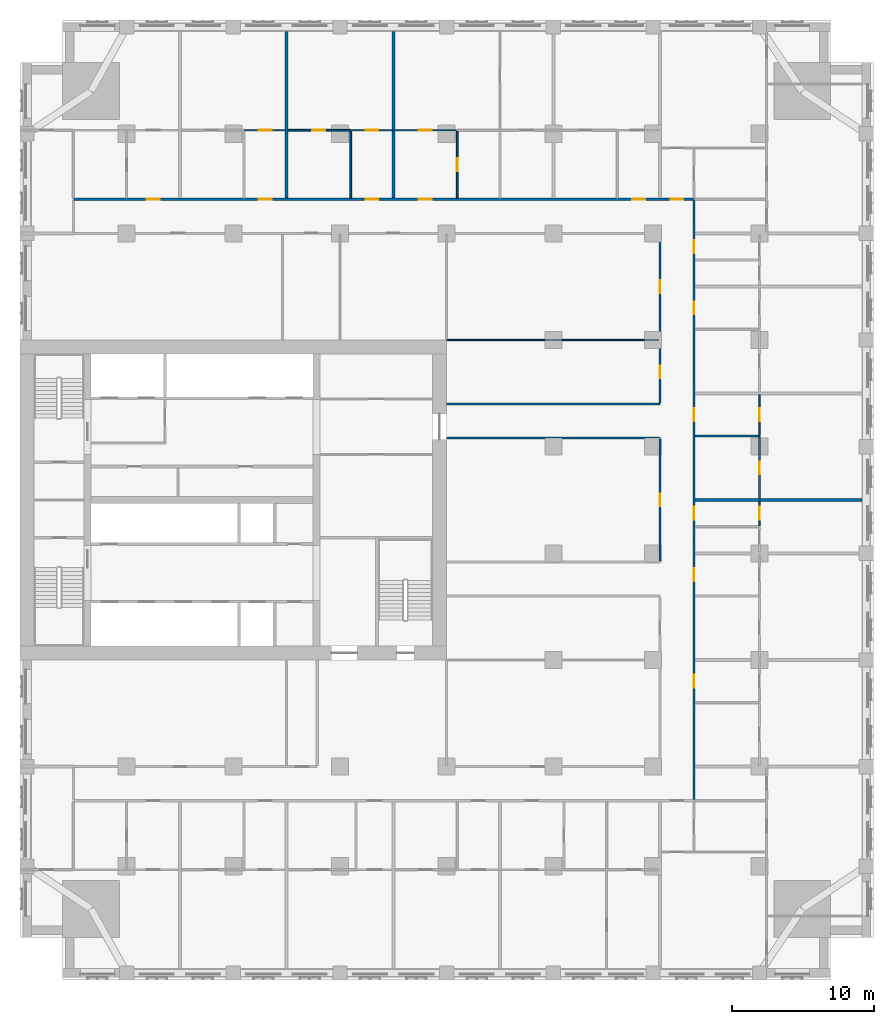
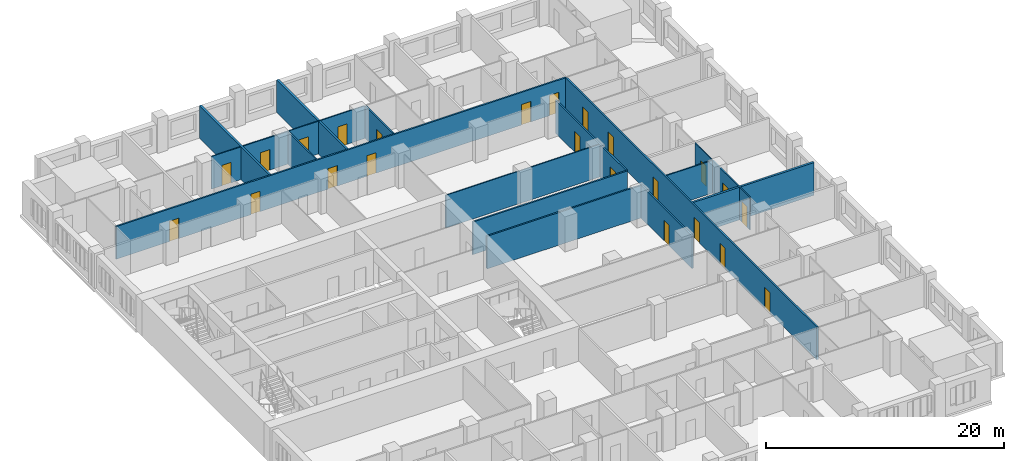
# One storey, part 9 of 14: 23 doors, 19 walls, 23 openings.
"""IFC4 building model written with IfcOpenShell, lengths in metres."""

from ifc_helpers import new_model, si_unit, direction, frame, frame_2d, origin, place, context, subcontext, project, spatial, rectangle, extrude, material, layer, layer_set, type_object, element, fill, save


model = new_model("IFC4")

# Units and contexts
model_context = context("Model", 3, precision=1e-05, world=origin(), true_north=direction((0.0, 1.0)))
body_context = subcontext(model_context, "Body", "Model", "MODEL_VIEW")
ifc_project = project(units=[si_unit("LENGTHUNIT", "METRE"), si_unit("AREAUNIT", "SQUARE_METRE"), si_unit("VOLUMEUNIT", "CUBIC_METRE"), si_unit("PLANEANGLEUNIT", "RADIAN"), si_unit("MASSUNIT", "GRAM", prefix="KILO")], contexts=[model_context])

# Site, building, storey
site_placement = place(None, origin())
site = spatial("IfcSite", under=ifc_project, at=site_placement, CompositionType="ELEMENT")
building_placement = place(site_placement, origin())
building = spatial("IfcBuilding", under=site, at=building_placement, Name="Tamorin Gate", CompositionType="ELEMENT")
storey_placement = place(building_placement, frame((0.0, 0.0, 66.39990234375)))
storey = spatial("IfcBuildingStorey", under=building, at=storey_placement, Name="L15", CompositionType="ELEMENT", Elevation=66.39990234375)

# Wall, openings, doors
ifc_material_1 = material(Name="Gypsum board partition")
ifc_layer_1 = layer(ifc_material_1, 0.14990234375)
ifc_layer_set_1 = layer_set([ifc_layer_1], Name="Corridor wall 150")
wall_type_1 = type_object("IfcWallType", Name="Corridor wall 150", PredefinedType="PARTITIONING", material=ifc_layer_set_1)
wall_1_placement = place(storey_placement, frame((33.75, 92.39990234375, 0.0), z_axis=(0.0, 0.0, 1.0), x_axis=(1.0, 0.0, 0.0)))
wall_1 = element("IfcWall", 1, at=wall_1_placement, inside=storey, type_object=wall_type_1, Name="Corridor wall 150", PredefinedType="PARTITIONING", context=body_context, shape_type="SweptSolid", body=[
    extrude(rectangle(XDim=43.64990234375, YDim=0.14990234375, at=frame_2d((21.824951171875, 0.0))), origin(), (0.0, 0.0, 1.0), 3.35009765625),
])
opening_1_placement = place(wall_1_placement, frame((5.175048828125, 0.0, 0.0)))
opening_1 = element("IfcOpeningElement", 2, at=opening_1_placement, cuts=wall_1, Name="Opening DH2021", PredefinedType="OPENING", context=body_context, shape_type="SweptSolid", body=[
    extrude(rectangle(XDim=0.89990234375, YDim=2.10009765625, at=frame_2d((0.449951171875, 1.050048828125))), frame((0.0, 0.0849609375, 0.0), z_axis=(0.0, -1.0, 0.0), x_axis=(1.0, 0.0, 0.0)), (0.0, 0.0, 1.0), 0.169921875),
])
opening_2_placement = place(wall_1_placement, frame((13.050048828125, 0.0, 0.0)))
opening_2 = element("IfcOpeningElement", 3, at=opening_2_placement, cuts=wall_1, Name="Opening DH2024", PredefinedType="OPENING", context=body_context, shape_type="SweptSolid", body=[
    extrude(rectangle(XDim=0.89990234375, YDim=2.10009765625, at=frame_2d((0.449951171875, 1.050048828125))), frame((0.0, 0.0849609375, 0.0), z_axis=(0.0, -1.0, 0.0), x_axis=(1.0, 0.0, 0.0)), (0.0, 0.0, 1.0), 0.169921875),
])
opening_3_placement = place(wall_1_placement, frame((20.550048828125, 0.0, 0.0)))
opening_3 = element("IfcOpeningElement", 4, at=opening_3_placement, cuts=wall_1, Name="Opening DH2027", PredefinedType="OPENING", context=body_context, shape_type="SweptSolid", body=[
    extrude(rectangle(XDim=0.89990234375, YDim=2.10009765625, at=frame_2d((0.449951171875, 1.050048828125))), frame((0.0, 0.0849609375, 0.0), z_axis=(0.0, -1.0, 0.0), x_axis=(1.0, 0.0, 0.0)), (0.0, 0.0, 1.0), 0.169921875),
])
opening_4_placement = place(wall_1_placement, frame((24.300048828125, 0.0, 0.0)))
opening_4 = element("IfcOpeningElement", 5, at=opening_4_placement, cuts=wall_1, Name="Opening DH2029", PredefinedType="OPENING", context=body_context, shape_type="SweptSolid", body=[
    extrude(rectangle(XDim=0.89990234375, YDim=2.10009765625, at=frame_2d((0.449951171875, 1.050048828125))), frame((0.0, 0.0849609375, 0.0), z_axis=(0.0, -1.0, 0.0), x_axis=(1.0, 0.0, 0.0)), (0.0, 0.0, 1.0), 0.169921875),
])
opening_5_placement = place(wall_1_placement, frame((39.300048828125, 0.0, 0.0)))
opening_5 = element("IfcOpeningElement", 6, at=opening_5_placement, cuts=wall_1, Name="Opening DH2035", PredefinedType="OPENING", context=body_context, shape_type="SweptSolid", body=[
    extrude(rectangle(XDim=0.89990234375, YDim=2.10009765625, at=frame_2d((0.449951171875, 1.050048828125))), frame((0.0, 0.0849609375, 0.0), z_axis=(0.0, -1.0, 0.0), x_axis=(1.0, 0.0, 0.0)), (0.0, 0.0, 1.0), 0.169921875),
])
opening_6_placement = place(wall_1_placement, frame((42.0, 0.0, 0.0)))
opening_6 = element("IfcOpeningElement", 7, at=opening_6_placement, cuts=wall_1, Name="Opening DH2061", PredefinedType="OPENING", context=body_context, shape_type="SweptSolid", body=[
    extrude(rectangle(XDim=0.89990234375, YDim=2.10009765625, at=frame_2d((0.449951171875, 1.050048828125))), frame((0.0, 0.0849609375, 0.0), z_axis=(0.0, -1.0, 0.0), x_axis=(1.0, 0.0, 0.0)), (0.0, 0.0, 1.0), 0.169921875),
])
ifc_material_2 = material(Name="Timber door leaf", Category="wood")
door_type_1 = type_object("IfcDoorType", Name="Door 900 x 2100 FD30S", OperationType="NOTDEFINED", PredefinedType="DOOR", material=ifc_material_2)
door_1_placement = place(opening_1_placement, origin())
door_1 = element("IfcDoor", 8, at=door_1_placement, inside=storey, type_object=door_type_1, Name="Door DH2021", OperationType="SINGLE_SWING_LEFT", OverallHeight=2.10009765625, OverallWidth=0.89990234375, PredefinedType="DOOR", context=body_context, shape_type="SweptSolid", body=[
    extrude(rectangle(XDim=0.89990234375, YDim=2.10009765625, at=frame_2d((0.449951171875, 1.050048828125))), frame((0.0, 0.02490234375, 0.0), z_axis=(0.0, -1.0, 0.0), x_axis=(1.0, 0.0, 0.0)), (0.0, 0.0, 1.0), 0.050048828125),
])
fill(opening_1, door_1)
door_2_placement = place(opening_2_placement, origin())
door_2 = element("IfcDoor", 9, at=door_2_placement, inside=storey, type_object=door_type_1, Name="Door DH2024", OperationType="SINGLE_SWING_LEFT", OverallHeight=2.10009765625, OverallWidth=0.89990234375, PredefinedType="DOOR", context=body_context, shape_type="SweptSolid", body=[
    extrude(rectangle(XDim=0.89990234375, YDim=2.10009765625, at=frame_2d((0.449951171875, 1.050048828125))), frame((0.0, 0.02490234375, 0.0), z_axis=(0.0, -1.0, 0.0), x_axis=(1.0, 0.0, 0.0)), (0.0, 0.0, 1.0), 0.050048828125),
])
fill(opening_2, door_2)
door_3_placement = place(opening_3_placement, origin())
door_3 = element("IfcDoor", 10, at=door_3_placement, inside=storey, type_object=door_type_1, Name="Door DH2027", OperationType="SINGLE_SWING_LEFT", OverallHeight=2.10009765625, OverallWidth=0.89990234375, PredefinedType="DOOR", context=body_context, shape_type="SweptSolid", body=[
    extrude(rectangle(XDim=0.89990234375, YDim=2.10009765625, at=frame_2d((0.449951171875, 1.050048828125))), frame((0.0, 0.02490234375, 0.0), z_axis=(0.0, -1.0, 0.0), x_axis=(1.0, 0.0, 0.0)), (0.0, 0.0, 1.0), 0.050048828125),
])
fill(opening_3, door_3)
door_4_placement = place(opening_4_placement, origin())
door_4 = element("IfcDoor", 11, at=door_4_placement, inside=storey, type_object=door_type_1, Name="Door DH2029", OperationType="SINGLE_SWING_LEFT", OverallHeight=2.10009765625, OverallWidth=0.89990234375, PredefinedType="DOOR", context=body_context, shape_type="SweptSolid", body=[
    extrude(rectangle(XDim=0.89990234375, YDim=2.10009765625, at=frame_2d((0.449951171875, 1.050048828125))), frame((0.0, 0.02490234375, 0.0), z_axis=(0.0, -1.0, 0.0), x_axis=(1.0, 0.0, 0.0)), (0.0, 0.0, 1.0), 0.050048828125),
])
fill(opening_4, door_4)
door_5_placement = place(opening_5_placement, origin())
door_5 = element("IfcDoor", 12, at=door_5_placement, inside=storey, type_object=door_type_1, Name="Door DH2035", OperationType="SINGLE_SWING_LEFT", OverallHeight=2.10009765625, OverallWidth=0.89990234375, PredefinedType="DOOR", context=body_context, shape_type="SweptSolid", body=[
    extrude(rectangle(XDim=0.89990234375, YDim=2.10009765625, at=frame_2d((0.449951171875, 1.050048828125))), frame((0.0, 0.02490234375, 0.0), z_axis=(0.0, -1.0, 0.0), x_axis=(1.0, 0.0, 0.0)), (0.0, 0.0, 1.0), 0.050048828125),
])
fill(opening_5, door_5)
door_6_placement = place(opening_6_placement, origin())
door_6 = element("IfcDoor", 13, at=door_6_placement, inside=storey, type_object=door_type_1, Name="Door DH2061", OperationType="SINGLE_SWING_RIGHT", OverallHeight=2.10009765625, OverallWidth=0.89990234375, PredefinedType="DOOR", context=body_context, shape_type="SweptSolid", body=[
    extrude(rectangle(XDim=0.89990234375, YDim=2.10009765625, at=frame_2d((0.449951171875, 1.050048828125))), frame((0.0, 0.02490234375, 0.0), z_axis=(0.0, -1.0, 0.0), x_axis=(1.0, 0.0, 0.0)), (0.0, 0.0, 1.0), 0.050048828125),
])
fill(opening_6, door_6)

# Wall, opening, door
wall_2_placement = place(storey_placement, frame((75.0, 66.97509765625, 0.0), z_axis=(0.0, 0.0, 1.0), x_axis=(0.0, 1.0, 0.0)))
wall_2 = element("IfcWall", 14, at=wall_2_placement, inside=storey, type_object=wall_type_1, Name="Corridor wall 150", PredefinedType="PARTITIONING", context=body_context, shape_type="SweptSolid", body=[
    extrude(rectangle(XDim=8.5498046875, YDim=0.14990234375, at=frame_2d((4.27490234375, 0.0))), origin(), (0.0, 0.0, 1.0), 3.35009765625),
])
opening_7_placement = place(wall_2_placement, frame((3.824951171875, 0.0, 0.0)))
opening_7 = element("IfcOpeningElement", 15, at=opening_7_placement, cuts=wall_2, Name="Opening DH2075", PredefinedType="OPENING", context=body_context, shape_type="SweptSolid", body=[
    extrude(rectangle(XDim=0.89990234375, YDim=2.10009765625, at=frame_2d((0.449951171875, 1.050048828125))), frame((0.0, 0.0849609375, 0.0), z_axis=(0.0, -1.0, 0.0), x_axis=(1.0, 0.0, 0.0)), (0.0, 0.0, 1.0), 0.169921875),
])
door_7_placement = place(opening_7_placement, origin())
door_7 = element("IfcDoor", 16, at=door_7_placement, inside=storey, type_object=door_type_1, Name="Door DH2075", OperationType="SINGLE_SWING_LEFT", OverallHeight=2.10009765625, OverallWidth=0.89990234375, PredefinedType="DOOR", context=body_context, shape_type="SweptSolid", body=[
    extrude(rectangle(XDim=0.89990234375, YDim=2.10009765625, at=frame_2d((0.449951171875, 1.050048828125))), frame((0.0, 0.02490234375, 0.0), z_axis=(0.0, -1.0, 0.0), x_axis=(1.0, 0.0, 0.0)), (0.0, 0.0, 1.0), 0.050048828125),
])
fill(opening_7, door_7)

# Wall, openings, doors
wall_3_placement = place(storey_placement, frame((75.0, 78.074951171875, 0.0), z_axis=(0.0, 0.0, 1.0), x_axis=(0.0, 1.0, 0.0)))
wall_3 = element("IfcWall", 17, at=wall_3_placement, inside=storey, type_object=wall_type_1, Name="Corridor wall 150", PredefinedType="PARTITIONING", context=body_context, shape_type="SweptSolid", body=[
    extrude(rectangle(XDim=11.85009765625, YDim=0.14990234375, at=frame_2d((5.925048828125, 0.0))), origin(), (0.0, 0.0, 1.0), 3.35009765625),
])
opening_8_placement = place(wall_3_placement, frame((7.72509765625, 0.0, 0.0)))
opening_8 = element("IfcOpeningElement", 18, at=opening_8_placement, cuts=wall_3, Name="Opening DH2073", PredefinedType="OPENING", context=body_context, shape_type="SweptSolid", body=[
    extrude(rectangle(XDim=0.89990234375, YDim=2.10009765625, at=frame_2d((0.449951171875, 1.050048828125))), frame((0.0, 0.0849609375, 0.0), z_axis=(0.0, -1.0, 0.0), x_axis=(1.0, 0.0, 0.0)), (0.0, 0.0, 1.0), 0.169921875),
])
opening_9_placement = place(wall_3_placement, frame((1.72509765625, 0.0, 0.0)))
opening_9 = element("IfcOpeningElement", 19, at=opening_9_placement, cuts=wall_3, Name="Opening DH2076", PredefinedType="OPENING", context=body_context, shape_type="SweptSolid", body=[
    extrude(rectangle(XDim=0.89990234375, YDim=2.10009765625, at=frame_2d((0.449951171875, 1.050048828125))), frame((0.0, 0.0849609375, 0.0), z_axis=(0.0, -1.0, 0.0), x_axis=(1.0, 0.0, 0.0)), (0.0, 0.0, 1.0), 0.169921875),
])
door_8_placement = place(opening_8_placement, origin())
door_8 = element("IfcDoor", 20, at=door_8_placement, inside=storey, type_object=door_type_1, Name="Door DH2073", OperationType="SINGLE_SWING_LEFT", OverallHeight=2.10009765625, OverallWidth=0.89990234375, PredefinedType="DOOR", context=body_context, shape_type="SweptSolid", body=[
    extrude(rectangle(XDim=0.89990234375, YDim=2.10009765625, at=frame_2d((0.449951171875, 1.050048828125))), frame((0.0, 0.02490234375, 0.0), z_axis=(0.0, -1.0, 0.0), x_axis=(1.0, 0.0, 0.0)), (0.0, 0.0, 1.0), 0.050048828125),
])
fill(opening_8, door_8)
door_9_placement = place(opening_9_placement, origin())
door_9 = element("IfcDoor", 21, at=door_9_placement, inside=storey, type_object=door_type_1, Name="Door DH2076", OperationType="SINGLE_SWING_LEFT", OverallHeight=2.10009765625, OverallWidth=0.89990234375, PredefinedType="DOOR", context=body_context, shape_type="SweptSolid", body=[
    extrude(rectangle(XDim=0.89990234375, YDim=2.10009765625, at=frame_2d((0.449951171875, 1.050048828125))), frame((0.0, 0.02490234375, 0.0), z_axis=(0.0, -1.0, 0.0), x_axis=(1.0, 0.0, 0.0)), (0.0, 0.0, 1.0), 0.050048828125),
])
fill(opening_9, door_9)

wall_4_placement = place(storey_placement, frame((77.39990234375, 50.175048828125, 0.0), z_axis=(0.0, 0.0, 1.0), x_axis=(0.0, 1.0, 0.0)))
wall_4 = element("IfcWall", 22, at=wall_4_placement, inside=storey, type_object=wall_type_1, Name="Corridor wall 150", PredefinedType="PARTITIONING", context=body_context, shape_type="SweptSolid", body=[
    extrude(rectangle(XDim=42.14990234375, YDim=0.14990234375, at=frame_2d((21.074951171875, 0.0))), origin(), (0.0, 0.0, 1.0), 3.35009765625),
])
opening_10_placement = place(wall_4_placement, frame((7.875, 0.0, 0.0)))
opening_10 = element("IfcOpeningElement", 23, at=opening_10_placement, cuts=wall_4, Name="Opening DH2038", PredefinedType="OPENING", context=body_context, shape_type="SweptSolid", body=[
    extrude(rectangle(XDim=0.89990234375, YDim=2.10009765625, at=frame_2d((0.449951171875, 1.050048828125))), frame((0.0, 0.0849609375, 0.0), z_axis=(0.0, -1.0, 0.0), x_axis=(1.0, 0.0, 0.0)), (0.0, 0.0, 1.0), 0.169921875),
])
opening_11_placement = place(wall_4_placement, frame((15.375, 0.0, 0.0)))
opening_11 = element("IfcOpeningElement", 24, at=opening_11_placement, cuts=wall_4, Name="Opening DH2041", PredefinedType="OPENING", context=body_context, shape_type="SweptSolid", body=[
    extrude(rectangle(XDim=0.89990234375, YDim=2.10009765625, at=frame_2d((0.449951171875, 1.050048828125))), frame((0.0, 0.0849609375, 0.0), z_axis=(0.0, -1.0, 0.0), x_axis=(1.0, 0.0, 0.0)), (0.0, 0.0, 1.0), 0.169921875),
])
opening_12_placement = place(wall_4_placement, frame((19.6875, 0.0, 0.0)))
opening_12 = element("IfcOpeningElement", 25, at=opening_12_placement, cuts=wall_4, Name="Opening DH2044", PredefinedType="OPENING", context=body_context, shape_type="SweptSolid", body=[
    extrude(rectangle(XDim=0.89990234375, YDim=2.10009765625, at=frame_2d((0.449951171875, 1.050048828125))), frame((0.0, 0.0849609375, 0.0), z_axis=(0.0, -1.0, 0.0), x_axis=(1.0, 0.0, 0.0)), (0.0, 0.0, 1.0), 0.169921875),
])
opening_13_placement = place(wall_4_placement, frame((26.625, 0.0, 0.0)))
opening_13 = element("IfcOpeningElement", 26, at=opening_13_placement, cuts=wall_4, Name="Opening DH2047", PredefinedType="OPENING", context=body_context, shape_type="SweptSolid", body=[
    extrude(rectangle(XDim=0.89990234375, YDim=2.10009765625, at=frame_2d((0.449951171875, 1.050048828125))), frame((0.0, 0.0849609375, 0.0), z_axis=(0.0, -1.0, 0.0), x_axis=(1.0, 0.0, 0.0)), (0.0, 0.0, 1.0), 0.169921875),
])
opening_14_placement = place(wall_4_placement, frame((34.125, 0.0, 0.0)))
opening_14 = element("IfcOpeningElement", 27, at=opening_14_placement, cuts=wall_4, Name="Opening DH2050", PredefinedType="OPENING", context=body_context, shape_type="SweptSolid", body=[
    extrude(rectangle(XDim=0.89990234375, YDim=2.10009765625, at=frame_2d((0.449951171875, 1.050048828125))), frame((0.0, 0.0849609375, 0.0), z_axis=(0.0, -1.0, 0.0), x_axis=(1.0, 0.0, 0.0)), (0.0, 0.0, 1.0), 0.169921875),
])
opening_15_placement = place(wall_4_placement, frame((38.4375, 0.0, 0.0)))
opening_15 = element("IfcOpeningElement", 28, at=opening_15_placement, cuts=wall_4, Name="Opening DH2053", PredefinedType="OPENING", context=body_context, shape_type="SweptSolid", body=[
    extrude(rectangle(XDim=0.89990234375, YDim=2.10009765625, at=frame_2d((0.449951171875, 1.050048828125))), frame((0.0, 0.0849609375, 0.0), z_axis=(0.0, -1.0, 0.0), x_axis=(1.0, 0.0, 0.0)), (0.0, 0.0, 1.0), 0.169921875),
])
door_10_placement = place(opening_10_placement, origin())
door_10 = element("IfcDoor", 29, at=door_10_placement, inside=storey, type_object=door_type_1, Name="Door DH2038", OperationType="SINGLE_SWING_RIGHT", OverallHeight=2.10009765625, OverallWidth=0.89990234375, PredefinedType="DOOR", context=body_context, shape_type="SweptSolid", body=[
    extrude(rectangle(XDim=0.89990234375, YDim=2.10009765625, at=frame_2d((0.449951171875, 1.050048828125))), frame((0.0, 0.02490234375, 0.0), z_axis=(0.0, -1.0, 0.0), x_axis=(1.0, 0.0, 0.0)), (0.0, 0.0, 1.0), 0.050048828125),
])
fill(opening_10, door_10)
door_11_placement = place(opening_11_placement, origin())
door_11 = element("IfcDoor", 30, at=door_11_placement, inside=storey, type_object=door_type_1, Name="Door DH2041", OperationType="SINGLE_SWING_RIGHT", OverallHeight=2.10009765625, OverallWidth=0.89990234375, PredefinedType="DOOR", context=body_context, shape_type="SweptSolid", body=[
    extrude(rectangle(XDim=0.89990234375, YDim=2.10009765625, at=frame_2d((0.449951171875, 1.050048828125))), frame((0.0, 0.02490234375, 0.0), z_axis=(0.0, -1.0, 0.0), x_axis=(1.0, 0.0, 0.0)), (0.0, 0.0, 1.0), 0.050048828125),
])
fill(opening_11, door_11)
door_12_placement = place(opening_12_placement, origin())
door_12 = element("IfcDoor", 31, at=door_12_placement, inside=storey, type_object=door_type_1, Name="Door DH2044", OperationType="SINGLE_SWING_RIGHT", OverallHeight=2.10009765625, OverallWidth=0.89990234375, PredefinedType="DOOR", context=body_context, shape_type="SweptSolid", body=[
    extrude(rectangle(XDim=0.89990234375, YDim=2.10009765625, at=frame_2d((0.449951171875, 1.050048828125))), frame((0.0, 0.02490234375, 0.0), z_axis=(0.0, -1.0, 0.0), x_axis=(1.0, 0.0, 0.0)), (0.0, 0.0, 1.0), 0.050048828125),
])
fill(opening_12, door_12)
door_13_placement = place(opening_13_placement, origin())
door_13 = element("IfcDoor", 32, at=door_13_placement, inside=storey, type_object=door_type_1, Name="Door DH2047", OperationType="SINGLE_SWING_RIGHT", OverallHeight=2.10009765625, OverallWidth=0.89990234375, PredefinedType="DOOR", context=body_context, shape_type="SweptSolid", body=[
    extrude(rectangle(XDim=0.89990234375, YDim=2.10009765625, at=frame_2d((0.449951171875, 1.050048828125))), frame((0.0, 0.02490234375, 0.0), z_axis=(0.0, -1.0, 0.0), x_axis=(1.0, 0.0, 0.0)), (0.0, 0.0, 1.0), 0.050048828125),
])
fill(opening_13, door_13)
door_14_placement = place(opening_14_placement, origin())
door_14 = element("IfcDoor", 33, at=door_14_placement, inside=storey, type_object=door_type_1, Name="Door DH2050", OperationType="SINGLE_SWING_RIGHT", OverallHeight=2.10009765625, OverallWidth=0.89990234375, PredefinedType="DOOR", context=body_context, shape_type="SweptSolid", body=[
    extrude(rectangle(XDim=0.89990234375, YDim=2.10009765625, at=frame_2d((0.449951171875, 1.050048828125))), frame((0.0, 0.02490234375, 0.0), z_axis=(0.0, -1.0, 0.0), x_axis=(1.0, 0.0, 0.0)), (0.0, 0.0, 1.0), 0.050048828125),
])
fill(opening_14, door_14)
door_15_placement = place(opening_15_placement, origin())
door_15 = element("IfcDoor", 34, at=door_15_placement, inside=storey, type_object=door_type_1, Name="Door DH2053", OperationType="SINGLE_SWING_RIGHT", OverallHeight=2.10009765625, OverallWidth=0.89990234375, PredefinedType="DOOR", context=body_context, shape_type="SweptSolid", body=[
    extrude(rectangle(XDim=0.89990234375, YDim=2.10009765625, at=frame_2d((0.449951171875, 1.050048828125))), frame((0.0, 0.02490234375, 0.0), z_axis=(0.0, -1.0, 0.0), x_axis=(1.0, 0.0, 0.0)), (0.0, 0.0, 1.0), 0.050048828125),
])
fill(opening_15, door_15)

# Walls
ifc_layer_2 = layer(ifc_material_1, 0.199951171875)
ifc_layer_set_2 = layer_set([ifc_layer_2], Name="Demising wall 200")
wall_type_2 = type_object("IfcWallType", Name="Demising wall 200", PredefinedType="PARTITIONING", material=ifc_layer_set_2)
for number, where, z_axis, x_axis, name in (
    (35, (77.47509765625, 71.25, 0.0), (0.0, 0.0, 1.0), (1.0, 0.0, 0.0), "Demising wall 200"),
    (36, (48.75, 92.47509765625, 0.0), (0.0, 0.0, 1.0), (0.0, 1.0, 0.0), "Demising wall 200"),
    (37, (56.25, 92.47509765625, 0.0), (0.0, 0.0, 1.0), (0.0, 1.0, 0.0), "Demising wall 200"),
):
    element("IfcWall", number, at=place(storey_placement, frame(where, z_axis=z_axis, x_axis=x_axis)), inside=storey, type_object=wall_type_2, Name=name, PredefinedType="PARTITIONING", context=body_context, shape_type="SweptSolid", body=[
        extrude(rectangle(XDim=11.71484375, YDim=0.199951171875, at=frame_2d((5.857421875, 0.0))), origin(), (0.0, 0.0, 1.0), 3.35009765625),
    ])
ifc_layer_3 = layer(ifc_material_1, 0.14990234375)
ifc_layer_set_3 = layer_set([ifc_layer_3], Name="Lobby wall 150")
wall_type_3 = type_object("IfcWallType", Name="Lobby wall 150", PredefinedType="PARTITIONING", material=ifc_layer_set_3)
for number, where, z_axis, x_axis, name in (
    (38, (60.0, 75.60009765625, 0.0), (0.0, 0.0, 1.0), (1.0, 0.0, 0.0), "Lobby wall 150"),
    (39, (60.0, 78.0, 0.0), (0.0, 0.0, 1.0), (1.0, 0.0, 0.0), "Lobby wall 150"),
):
    element("IfcWall", number, at=place(storey_placement, frame(where, z_axis=z_axis, x_axis=x_axis)), inside=storey, type_object=wall_type_3, Name=name, PredefinedType="PARTITIONING", context=body_context, shape_type="SweptSolid", body=[
        extrude(rectangle(XDim=15.0, YDim=0.14990234375, at=frame_2d((7.5, 0.0))), origin(), (0.0, 0.0, 1.0), 3.35009765625),
    ])
ifc_layer_4 = layer(ifc_material_1, 0.10009765625)
ifc_layer_set_4 = layer_set([ifc_layer_4], Name="Room partition 100")
wall_type_4 = type_object("IfcWallType", Name="Room partition 100", PredefinedType="PARTITIONING", material=ifc_layer_set_4)
wall_5_placement = place(storey_placement, frame((60.0, 82.5, 0.0), z_axis=(0.0, 0.0, 1.0), x_axis=(1.0, 0.0, 0.0)))
element("IfcWall", 40, at=wall_5_placement, inside=storey, type_object=wall_type_4, Name="Room partition 100", PredefinedType="PARTITIONING", context=body_context, shape_type="SweptSolid", body=[
    extrude(rectangle(XDim=14.925048828125, YDim=0.10009765625, at=frame_2d((7.46240234375, 0.0))), origin(), (0.0, 0.0, 1.0), 3.35009765625),
])

# Wall, opening, door
wall_6_placement = place(storey_placement, frame((45.8125, 97.25, 0.0), z_axis=(0.0, 0.0, 1.0), x_axis=(1.0, 0.0, 0.0)))
wall_6 = element("IfcWall", 41, at=wall_6_placement, inside=storey, type_object=wall_type_4, Name="Room partition 100", PredefinedType="PARTITIONING", context=body_context, shape_type="SweptSolid", body=[
    extrude(rectangle(XDim=2.83740234375, YDim=0.10009765625, at=frame_2d((1.418701171875, 0.0))), origin(), (0.0, 0.0, 1.0), 3.35009765625),
])
opening_16_placement = place(wall_6_placement, frame((0.987548828125, 0.0, 0.0)))
opening_16 = element("IfcOpeningElement", 42, at=opening_16_placement, cuts=wall_6, Name="Opening DH2025", PredefinedType="OPENING", context=body_context, shape_type="SweptSolid", body=[
    extrude(rectangle(XDim=0.89990234375, YDim=2.10009765625, at=frame_2d((0.449951171875, 1.050048828125))), frame((0.0, 0.06005859375, 0.0), z_axis=(0.0, -1.0, 0.0), x_axis=(1.0, 0.0, 0.0)), (0.0, 0.0, 1.0), 0.1201171875),
])
door_type_2 = type_object("IfcDoorType", Name="Door 900 x 2100", OperationType="NOTDEFINED", PredefinedType="DOOR", material=ifc_material_2)
door_16_placement = place(opening_16_placement, origin())
door_16 = element("IfcDoor", 43, at=door_16_placement, inside=storey, type_object=door_type_2, Name="Door DH2025", OperationType="SINGLE_SWING_RIGHT", OverallHeight=2.10009765625, OverallWidth=0.89990234375, PredefinedType="DOOR", context=body_context, shape_type="SweptSolid", body=[
    extrude(rectangle(XDim=0.89990234375, YDim=2.10009765625, at=frame_2d((0.449951171875, 1.050048828125))), frame((0.0, 0.02490234375, 0.0), z_axis=(0.0, -1.0, 0.0), x_axis=(1.0, 0.0, 0.0)), (0.0, 0.0, 1.0), 0.050048828125),
])
fill(opening_16, door_16)

# Wall, openings, doors
wall_7_placement = place(storey_placement, frame((53.3125, 97.25, 0.0), z_axis=(0.0, 0.0, 1.0), x_axis=(1.0, 0.0, 0.0)))
wall_7 = element("IfcWall", 44, at=wall_7_placement, inside=storey, type_object=wall_type_4, Name="Room partition 100", PredefinedType="PARTITIONING", context=body_context, shape_type="SweptSolid", body=[
    extrude(rectangle(XDim=7.375, YDim=0.10009765625, at=frame_2d((3.6875, 0.0))), origin(), (0.0, 0.0, 1.0), 3.35009765625),
])
opening_17_placement = place(wall_7_placement, frame((0.987548828125, 0.0, 0.0)))
opening_17 = element("IfcOpeningElement", 45, at=opening_17_placement, cuts=wall_7, Name="Opening DH2028", PredefinedType="OPENING", context=body_context, shape_type="SweptSolid", body=[
    extrude(rectangle(XDim=0.89990234375, YDim=2.10009765625, at=frame_2d((0.449951171875, 1.050048828125))), frame((0.0, 0.06005859375, 0.0), z_axis=(0.0, -1.0, 0.0), x_axis=(1.0, 0.0, 0.0)), (0.0, 0.0, 1.0), 0.1201171875),
])
opening_18_placement = place(wall_7_placement, frame((4.737548828125, 0.0, 0.0)))
opening_18 = element("IfcOpeningElement", 46, at=opening_18_placement, cuts=wall_7, Name="Opening DH2030", PredefinedType="OPENING", context=body_context, shape_type="SweptSolid", body=[
    extrude(rectangle(XDim=0.89990234375, YDim=2.10009765625, at=frame_2d((0.449951171875, 1.050048828125))), frame((0.0, 0.06005859375, 0.0), z_axis=(0.0, -1.0, 0.0), x_axis=(1.0, 0.0, 0.0)), (0.0, 0.0, 1.0), 0.1201171875),
])
door_17_placement = place(opening_17_placement, origin())
door_17 = element("IfcDoor", 47, at=door_17_placement, inside=storey, type_object=door_type_2, Name="Door DH2028", OperationType="SINGLE_SWING_RIGHT", OverallHeight=2.10009765625, OverallWidth=0.89990234375, PredefinedType="DOOR", context=body_context, shape_type="SweptSolid", body=[
    extrude(rectangle(XDim=0.89990234375, YDim=2.10009765625, at=frame_2d((0.449951171875, 1.050048828125))), frame((0.0, 0.02490234375, 0.0), z_axis=(0.0, -1.0, 0.0), x_axis=(1.0, 0.0, 0.0)), (0.0, 0.0, 1.0), 0.050048828125),
])
fill(opening_17, door_17)
door_18_placement = place(opening_18_placement, origin())
door_18 = element("IfcDoor", 48, at=door_18_placement, inside=storey, type_object=door_type_2, Name="Door DH2030", OperationType="SINGLE_SWING_RIGHT", OverallHeight=2.10009765625, OverallWidth=0.89990234375, PredefinedType="DOOR", context=body_context, shape_type="SweptSolid", body=[
    extrude(rectangle(XDim=0.89990234375, YDim=2.10009765625, at=frame_2d((0.449951171875, 1.050048828125))), frame((0.0, 0.02490234375, 0.0), z_axis=(0.0, -1.0, 0.0), x_axis=(1.0, 0.0, 0.0)), (0.0, 0.0, 1.0), 0.050048828125),
])
fill(opening_18, door_18)

# Wall, opening, door
wall_8_placement = place(storey_placement, frame((82.0, 69.4375, 0.0), z_axis=(0.0, 0.0, 1.0), x_axis=(0.0, 1.0, 0.0)))
wall_8 = element("IfcWall", 49, at=wall_8_placement, inside=storey, type_object=wall_type_4, Name="Room partition 100", PredefinedType="PARTITIONING", context=body_context, shape_type="SweptSolid", body=[
    extrude(rectangle(XDim=1.71240234375, YDim=0.10009765625, at=frame_2d((0.856201171875, 0.0))), origin(), (0.0, 0.0, 1.0), 3.35009765625),
])
opening_19_placement = place(wall_8_placement, frame((0.425048828125, 0.0, 0.0)))
opening_19 = element("IfcOpeningElement", 50, at=opening_19_placement, cuts=wall_8, Name="Opening DH2045", PredefinedType="OPENING", context=body_context, shape_type="SweptSolid", body=[
    extrude(rectangle(XDim=0.89990234375, YDim=2.10009765625, at=frame_2d((0.449951171875, 1.050048828125))), frame((0.0, 0.06005859375, 0.0), z_axis=(0.0, -1.0, 0.0), x_axis=(1.0, 0.0, 0.0)), (0.0, 0.0, 1.0), 0.1201171875),
])
door_19_placement = place(opening_19_placement, origin())
door_19 = element("IfcDoor", 51, at=door_19_placement, inside=storey, type_object=door_type_2, Name="Door DH2045", OperationType="SINGLE_SWING_LEFT", OverallHeight=2.10009765625, OverallWidth=0.89990234375, PredefinedType="DOOR", context=body_context, shape_type="SweptSolid", body=[
    extrude(rectangle(XDim=0.89990234375, YDim=2.10009765625, at=frame_2d((0.449951171875, 1.050048828125))), frame((0.0, 0.02490234375, 0.0), z_axis=(0.0, -1.0, 0.0), x_axis=(1.0, 0.0, 0.0)), (0.0, 0.0, 1.0), 0.050048828125),
])
fill(opening_19, door_19)

wall_9_placement = place(storey_placement, frame((82.0, 75.8125, 0.0), z_axis=(0.0, 0.0, 1.0), x_axis=(0.0, 1.0, 0.0)))
wall_9 = element("IfcWall", 52, at=wall_9_placement, inside=storey, type_object=wall_type_4, Name="Room partition 100", PredefinedType="PARTITIONING", context=body_context, shape_type="SweptSolid", body=[
    extrude(rectangle(XDim=2.83740234375, YDim=0.10009765625, at=frame_2d((1.418701171875, 0.0))), origin(), (0.0, 0.0, 1.0), 3.35009765625),
])
opening_20_placement = place(wall_9_placement, frame((0.987548828125, 0.0, 0.0)))
opening_20 = element("IfcOpeningElement", 53, at=opening_20_placement, cuts=wall_9, Name="Opening DH2048", PredefinedType="OPENING", context=body_context, shape_type="SweptSolid", body=[
    extrude(rectangle(XDim=0.89990234375, YDim=2.10009765625, at=frame_2d((0.449951171875, 1.050048828125))), frame((0.0, 0.06005859375, 0.0), z_axis=(0.0, -1.0, 0.0), x_axis=(1.0, 0.0, 0.0)), (0.0, 0.0, 1.0), 0.1201171875),
])
door_20_placement = place(opening_20_placement, origin())
door_20 = element("IfcDoor", 54, at=door_20_placement, inside=storey, type_object=door_type_2, Name="Door DH2048", OperationType="SINGLE_SWING_LEFT", OverallHeight=2.10009765625, OverallWidth=0.89990234375, PredefinedType="DOOR", context=body_context, shape_type="SweptSolid", body=[
    extrude(rectangle(XDim=0.89990234375, YDim=2.10009765625, at=frame_2d((0.449951171875, 1.050048828125))), frame((0.0, 0.02490234375, 0.0), z_axis=(0.0, -1.0, 0.0), x_axis=(1.0, 0.0, 0.0)), (0.0, 0.0, 1.0), 0.050048828125),
])
fill(opening_20, door_20)

# Wall
ifc_layer_5 = layer(ifc_material_1, 0.125)
ifc_layer_set_5 = layer_set([ifc_layer_5], Name="Wet wall 125")
wall_type_5 = type_object("IfcWallType", Name="Wet wall 125", PredefinedType="PARTITIONING", material=ifc_layer_set_5)
wall_10_placement = place(storey_placement, frame((77.47509765625, 75.75, 0.0), z_axis=(0.0, 0.0, 1.0), x_axis=(1.0, 0.0, 0.0)))
element("IfcWall", 55, at=wall_10_placement, inside=storey, type_object=wall_type_5, Name="Wet wall 125", PredefinedType="PARTITIONING", context=body_context, shape_type="SweptSolid", body=[
    extrude(rectangle(XDim=4.52490234375, YDim=0.125, at=frame_2d((2.262451171875, 0.0))), origin(), (0.0, 0.0, 1.0), 3.35009765625),
])

# Wall, opening, door
wall_11_placement = place(storey_placement, frame((48.85009765625, 97.25, 0.0), z_axis=(0.0, 0.0, 1.0), x_axis=(1.0, 0.0, 0.0)))
wall_11 = element("IfcWall", 56, at=wall_11_placement, inside=storey, type_object=wall_type_5, Name="Wet wall 125", PredefinedType="PARTITIONING", context=body_context, shape_type="SweptSolid", body=[
    extrude(rectangle(XDim=4.39990234375, YDim=0.125, at=frame_2d((2.199951171875, 0.0))), origin(), (0.0, 0.0, 1.0), 3.35009765625),
])
opening_21_placement = place(wall_11_placement, frame((1.699951171875, 0.0, 0.0)))
opening_21 = element("IfcOpeningElement", 57, at=opening_21_placement, cuts=wall_11, Name="Opening DH2026", PredefinedType="OPENING", context=body_context, shape_type="SweptSolid", body=[
    extrude(rectangle(XDim=0.89990234375, YDim=2.10009765625, at=frame_2d((0.449951171875, 1.050048828125))), frame((0.0, 0.072509765625, 0.0), z_axis=(0.0, -1.0, 0.0), x_axis=(1.0, 0.0, 0.0)), (0.0, 0.0, 1.0), 0.14501953125),
])
door_21_placement = place(opening_21_placement, origin())
door_21 = element("IfcDoor", 58, at=door_21_placement, inside=storey, type_object=door_type_2, Name="Door DH2026", OperationType="SINGLE_SWING_RIGHT", OverallHeight=2.10009765625, OverallWidth=0.89990234375, PredefinedType="DOOR", context=body_context, shape_type="SweptSolid", body=[
    extrude(rectangle(XDim=0.89990234375, YDim=2.10009765625, at=frame_2d((0.449951171875, 1.050048828125))), frame((0.0, 0.02490234375, 0.0), z_axis=(0.0, -1.0, 0.0), x_axis=(1.0, 0.0, 0.0)), (0.0, 0.0, 1.0), 0.050048828125),
])
fill(opening_21, door_21)

# Wall
wall_12_placement = place(storey_placement, frame((53.25, 92.47509765625, 0.0), z_axis=(0.0, 0.0, 1.0), x_axis=(0.0, 1.0, 0.0)))
element("IfcWall", 59, at=wall_12_placement, inside=storey, type_object=wall_type_5, Name="Wet wall 125", PredefinedType="PARTITIONING", context=body_context, shape_type="SweptSolid", body=[
    extrude(rectangle(XDim=4.71240234375, YDim=0.125, at=frame_2d((2.356201171875, 0.0))), origin(), (0.0, 0.0, 1.0), 3.35009765625),
])

# Wall, opening, door
wall_13_placement = place(storey_placement, frame((60.75, 92.47509765625, 0.0), z_axis=(0.0, 0.0, 1.0), x_axis=(0.0, 1.0, 0.0)))
wall_13 = element("IfcWall", 60, at=wall_13_placement, inside=storey, type_object=wall_type_5, Name="Wet wall 125", PredefinedType="PARTITIONING", context=body_context, shape_type="SweptSolid", body=[
    extrude(rectangle(XDim=4.71240234375, YDim=0.125, at=frame_2d((2.356201171875, 0.0))), origin(), (0.0, 0.0, 1.0), 3.35009765625),
])
opening_22_placement = place(wall_13_placement, frame((1.89990234375, 0.0, 0.0)))
opening_22 = element("IfcOpeningElement", 61, at=opening_22_placement, cuts=wall_13, Name="Opening DH2031", PredefinedType="OPENING", context=body_context, shape_type="SweptSolid", body=[
    extrude(rectangle(XDim=0.89990234375, YDim=2.10009765625, at=frame_2d((0.449951171875, 1.050048828125))), frame((0.0, 0.072509765625, 0.0), z_axis=(0.0, -1.0, 0.0), x_axis=(1.0, 0.0, 0.0)), (0.0, 0.0, 1.0), 0.14501953125),
])
door_22_placement = place(opening_22_placement, origin())
door_22 = element("IfcDoor", 62, at=door_22_placement, inside=storey, type_object=door_type_2, Name="Door DH2031", OperationType="SINGLE_SWING_LEFT", OverallHeight=2.10009765625, OverallWidth=0.89990234375, PredefinedType="DOOR", context=body_context, shape_type="SweptSolid", body=[
    extrude(rectangle(XDim=0.89990234375, YDim=2.10009765625, at=frame_2d((0.449951171875, 1.050048828125))), frame((0.0, 0.02490234375, 0.0), z_axis=(0.0, -1.0, 0.0), x_axis=(1.0, 0.0, 0.0)), (0.0, 0.0, 1.0), 0.050048828125),
])
fill(opening_22, door_22)

wall_14_placement = place(storey_placement, frame((82.0, 71.35009765625, 0.0), z_axis=(0.0, 0.0, 1.0), x_axis=(0.0, 1.0, 0.0)))
wall_14 = element("IfcWall", 63, at=wall_14_placement, inside=storey, type_object=wall_type_5, Name="Wet wall 125", PredefinedType="PARTITIONING", context=body_context, shape_type="SweptSolid", body=[
    extrude(rectangle(XDim=4.33740234375, YDim=0.125, at=frame_2d((2.168701171875, 0.0))), origin(), (0.0, 0.0, 1.0), 3.35009765625),
])
opening_23_placement = place(wall_14_placement, frame((1.699951171875, 0.0, 0.0)))
opening_23 = element("IfcOpeningElement", 64, at=opening_23_placement, cuts=wall_14, Name="Opening DH2046", PredefinedType="OPENING", context=body_context, shape_type="SweptSolid", body=[
    extrude(rectangle(XDim=0.89990234375, YDim=2.10009765625, at=frame_2d((0.449951171875, 1.050048828125))), frame((0.0, 0.072509765625, 0.0), z_axis=(0.0, -1.0, 0.0), x_axis=(1.0, 0.0, 0.0)), (0.0, 0.0, 1.0), 0.14501953125),
])
door_23_placement = place(opening_23_placement, origin())
door_23 = element("IfcDoor", 65, at=door_23_placement, inside=storey, type_object=door_type_2, Name="Door DH2046", OperationType="SINGLE_SWING_LEFT", OverallHeight=2.10009765625, OverallWidth=0.89990234375, PredefinedType="DOOR", context=body_context, shape_type="SweptSolid", body=[
    extrude(rectangle(XDim=0.89990234375, YDim=2.10009765625, at=frame_2d((0.449951171875, 1.050048828125))), frame((0.0, 0.02490234375, 0.0), z_axis=(0.0, -1.0, 0.0), x_axis=(1.0, 0.0, 0.0)), (0.0, 0.0, 1.0), 0.050048828125),
])
fill(opening_23, door_23)

save(model, "model.ifc")
